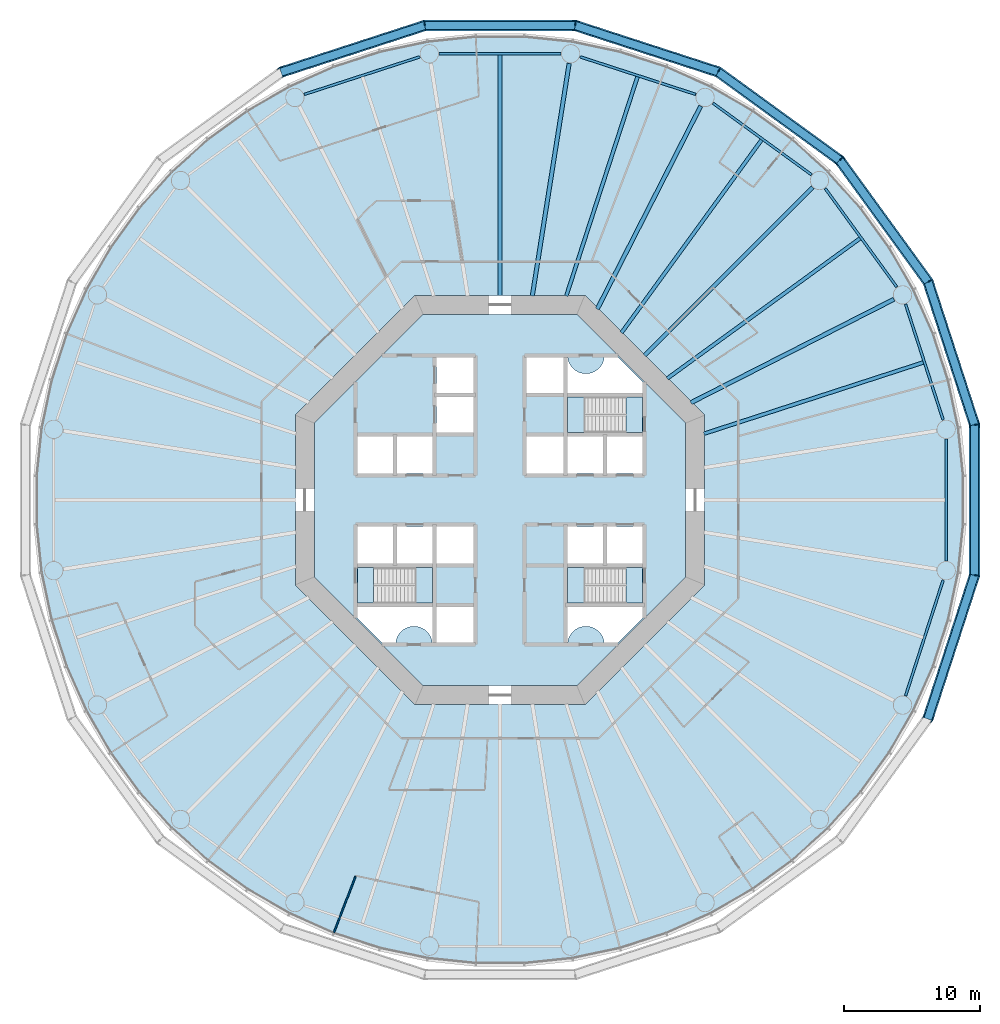
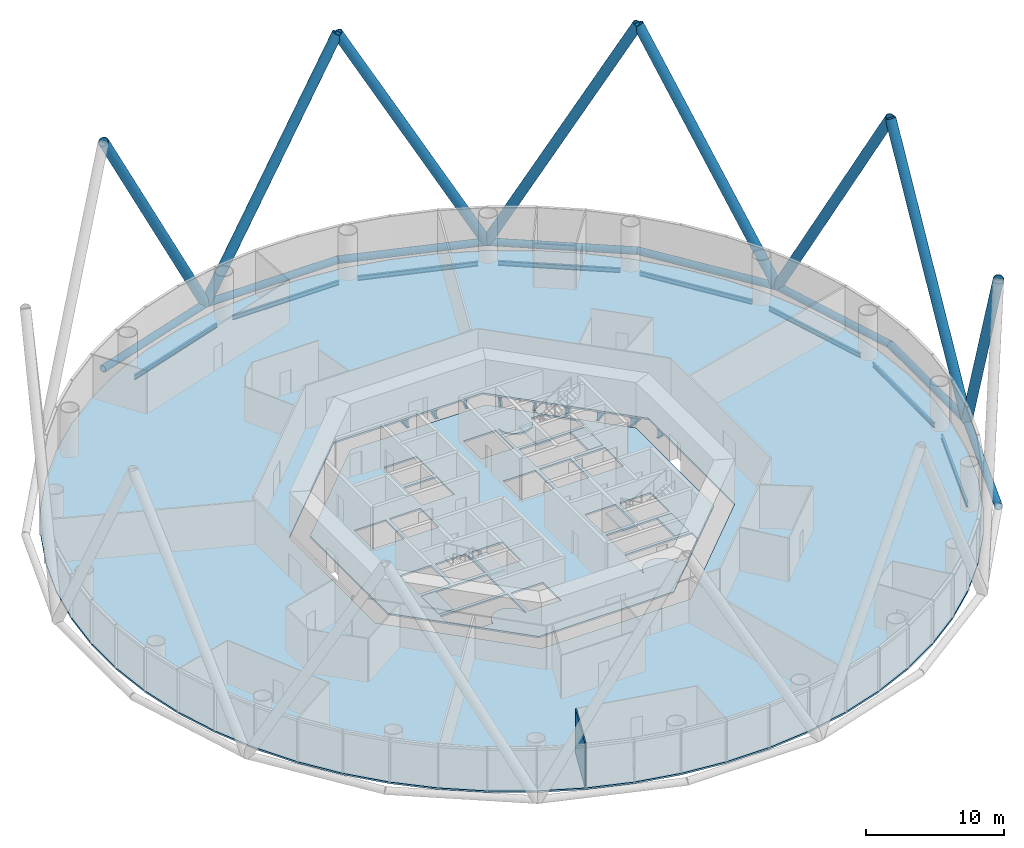
# One storey, part 2 of 13: 17 beams, 16 members, 8 slabs, 1 wall, 3 elements without a shape of their own.
"""IFC4 building model written with IfcOpenShell, lengths in metres."""

from ifc_helpers import new_model, si_unit, direction, frame, frame_2d, origin, origin_2d, place, context, subcontext, project, spatial, polyline, rectangle, circle, hollow_circle, i_section, outline, extrude, material, layer, layer_set, material_profile, profile_set, type_object, element, aggregate, save


model = new_model("IFC4")

# Units and contexts
model_context = context("Model", 3, precision=1e-05, world=origin(), true_north=direction((0.0, 1.0)))
body_context = subcontext(model_context, "Body", "Model", "MODEL_VIEW")
ifc_project = project(units=[si_unit("LENGTHUNIT", "METRE"), si_unit("AREAUNIT", "SQUARE_METRE"), si_unit("VOLUMEUNIT", "CUBIC_METRE"), si_unit("PLANEANGLEUNIT", "RADIAN"), si_unit("MASSUNIT", "GRAM", prefix="KILO")], contexts=[model_context])

# Site, building, storey
site_placement = place(None, origin())
site = spatial("IfcSite", under=ifc_project, at=site_placement, CompositionType="ELEMENT")
building_placement = place(site_placement, origin())
building = spatial("IfcBuilding", under=site, at=building_placement, Name="Entoto Ring Tower", CompositionType="ELEMENT")
storey_placement = place(building_placement, frame((0.0, 0.0, 18.0)))
storey = spatial("IfcBuildingStorey", under=building, at=storey_placement, Name="L02", CompositionType="ELEMENT", Elevation=18.0)

# Members
ifc_material_1 = material(Name="Steel S355", Category="steel")
ifc_material_profile_1 = material_profile(ifc_material_1, hollow_circle(Radius=0.39990234375, WallThickness=0.0400390625, at=origin_2d()), Name="CHS 800 x 40")
ifc_material_2 = material(Name="Concrete C60/75", Category="concrete")
ifc_material_profile_2 = material_profile(ifc_material_2, circle(Radius=0.360107421875, at=origin_2d()), Name="Concrete C60/75 infill")
ifc_profile_set_1 = profile_set([ifc_material_profile_1, ifc_material_profile_2], Name="Steel S355")
member_type_1 = type_object("IfcMemberType", Name="Diagrid diagonal 800 x 40 concrete-filled tube", PredefinedType="BRACE", material=ifc_profile_set_1)
member_1_placement = place(storey_placement, frame((121.363525390625, 95.98046875, 0.0), z_axis=(0.149050994589, -0.458744294344, 0.875978009666), x_axis=(0.951058991317, 0.309009376937, 0.0)))
element("IfcMember", 1, at=member_1_placement, inside=storey, type_object=member_type_1, Name="DG1 module 2 01", PredefinedType="BRACE", context=body_context, shape_type="SweptSolid", body=[
    extrude(hollow_circle(Radius=0.39990234375, WallThickness=0.0400390625, at=origin_2d()), origin(), (0.0, 0.0, 1.0), 22.83154296875),
])
for number, where, z_axis, x_axis, name in (
    (2, (121.363525390625, 95.98046875, 0.0), (-0.283526240634, 0.390232194068, 0.875974717435), (-0.809011122805, -0.587793333731, 0.0), "DG1 module 2 02"),
    (3, (105.98046875, 111.363525390625, 0.0), (0.390232194068, -0.283526240634, 0.875974717435), (0.587793333731, 0.809011122805, 0.0), "DG1 module 2 03"),
):
    element("IfcMember", number, at=place(storey_placement, frame(where, z_axis=z_axis, x_axis=x_axis)), inside=storey, type_object=member_type_1, Name=name, PredefinedType="BRACE", context=body_context, shape_type="SweptSolid", body=[
        extrude(hollow_circle(Radius=0.39990234375, WallThickness=0.0400390625, at=origin_2d()), origin(), (0.0, 0.0, 1.0), 22.831787109375),
    ])
member_2_placement = place(storey_placement, frame((105.98046875, 111.363525390625, 0.0), z_axis=(-0.458744294344, 0.149050994589, 0.875978009666), x_axis=(-0.309009376937, -0.951058991317, 0.0)))
element("IfcMember", 4, at=member_2_placement, inside=storey, type_object=member_type_1, Name="DG1 module 2 04", PredefinedType="BRACE", context=body_context, shape_type="SweptSolid", body=[
    extrude(hollow_circle(Radius=0.39990234375, WallThickness=0.0400390625, at=origin_2d()), origin(), (0.0, 0.0, 1.0), 22.83154296875),
])
member_3_placement = place(storey_placement, frame((84.493408203125, 114.7666015625, 0.0), z_axis=(0.482362007039, 0.0, 0.875971971107), x_axis=(0.0, 1.0, 0.0)))
element("IfcMember", 5, at=member_3_placement, inside=storey, type_object=member_type_1, Name="DG1 module 2 05", PredefinedType="BRACE", context=body_context, shape_type="SweptSolid", body=[
    extrude(hollow_circle(Radius=0.39990234375, WallThickness=0.0400390625, at=origin_2d()), origin(), (0.0, 0.0, 1.0), 22.831787109375),
])
for number, where, z_axis, x_axis, name in (
    (6, (84.493408203125, 114.7666015625, 0.0), (-0.458744294344, -0.149050994589, 0.875978009666), (0.309009376937, -0.951058991317, 0.0), "DG1 module 2 06"),
    (7, (124.7666015625, 74.493408203125, 0.0), (-0.149050994589, -0.458744294344, 0.875978009666), (0.951058991317, -0.309009376937, 0.0), "DG1 module 2 19"),
):
    element("IfcMember", number, at=place(storey_placement, frame(where, z_axis=z_axis, x_axis=x_axis)), inside=storey, type_object=member_type_1, Name=name, PredefinedType="BRACE", context=body_context, shape_type="SweptSolid", body=[
        extrude(hollow_circle(Radius=0.39990234375, WallThickness=0.0400390625, at=origin_2d()), origin(), (0.0, 0.0, 1.0), 22.83154296875),
    ])
member_4_placement = place(storey_placement, frame((124.7666015625, 74.493408203125, 0.0), z_axis=(0.0, 0.482362007039, 0.875971971107), x_axis=(-1.0, 0.0, 0.0)))
element("IfcMember", 8, at=member_4_placement, inside=storey, type_object=member_type_1, Name="DG1 module 2 20", PredefinedType="BRACE", context=body_context, shape_type="SweptSolid", body=[
    extrude(hollow_circle(Radius=0.39990234375, WallThickness=0.0400390625, at=origin_2d()), origin(), (0.0, 0.0, 1.0), 22.831787109375),
])
ifc_material_3 = material(Name="Steel S355", Category="steel")
ifc_material_profile_3 = material_profile(ifc_material_3, hollow_circle(Radius=0.300048828125, WallThickness=0.030029296875, at=origin_2d()), Name="CHS 600 x 30")
ifc_material_4 = material(Name="Concrete C60/75", Category="concrete")
ifc_material_profile_4 = material_profile(ifc_material_4, circle(Radius=0.27001953125, at=origin_2d()), Name="Concrete C60/75 infill")
ifc_profile_set_2 = profile_set([ifc_material_profile_3, ifc_material_profile_4], Name="Steel S355")
member_type_2 = type_object("IfcMemberType", Name="Diagrid ring beam 600 x 30", PredefinedType="CHORD", material=ifc_profile_set_2)
for number, where, z_axis, x_axis, name in (
    (9, (121.403076171875, 95.92578125, 0.0), (-0.587771863556, 0.809026721692, 0.0), (-0.809026721692, -0.587771863556, 0.0), "DR1 ring 1 01"),
    (10, (114.94482421875, 104.8505859375, 0.0), (-0.809026721692, 0.587771863556, 0.0), (-0.587771863556, -0.809026721692, 0.0), "DR1 ring 1 02"),
    (11, (106.044677734375, 111.342529296875, 0.0), (-0.951051931315, 0.309031105137, 0.0), (-0.309031105137, -0.951051931315, 0.0), "DR1 ring 1 03"),
    (12, (95.573974609375, 114.7666015625, 0.0), (-1.0, 0.0, 0.0), (0.0, -1.0, 0.0), "DR1 ring 1 04"),
    (13, (84.5576171875, 114.78759765625, 0.0), (-0.951051931315, -0.309031105137, 0.0), (0.309031105137, -0.951051931315, 0.0), "DR1 ring 1 05"),
    (14, (121.342529296875, 63.955322265625, 0.0), (0.309031105137, 0.951051931315, 0.0), (-0.951051931315, 0.309031105137, 0.0), "DR1 ring 1 18"),
    (15, (124.7666015625, 74.426025390625, 0.0), (0.0, 1.0, 0.0), (-1.0, 0.0, 0.0), "DR1 ring 1 19"),
    (16, (124.78759765625, 85.4423828125, 0.0), (-0.309031105137, 0.951051931315, 0.0), (-0.951051931315, -0.309031105137, 0.0), "DR1 ring 1 20"),
):
    element("IfcMember", number, at=place(storey_placement, frame(where, z_axis=z_axis, x_axis=x_axis)), inside=storey, type_object=member_type_2, Name=name, PredefinedType="CHORD", context=body_context, shape_type="SweptSolid", body=[
        extrude(hollow_circle(Radius=0.300048828125, WallThickness=0.030029296875, at=origin_2d()), origin(), (0.0, 0.0, 1.0), 11.14794921875),
    ])

# Beams
ifc_material_5 = material(Name="Steel S355", Category="steel")
ifc_material_profile_5 = material_profile(ifc_material_5, i_section(OverallWidth=0.179931640625, OverallDepth=0.39990234375, WebThickness=0.008544921875, FlangeThickness=0.013427734375, FilletRadius=0.02099609375, at=origin_2d()), Name="IPE 400")
ifc_profile_set_3 = profile_set([ifc_material_profile_5], Name="Steel S355")
beam_type_1 = type_object("IfcBeamType", Name="Edge beam IPE 400", PredefinedType="SPANDREL", material=ifc_profile_set_3)
for number, where, z_axis, x_axis, name in (
    (17, (122.468505859375, 85.866943359375, -0.35009765625), (-0.308990624574, 0.951065083959, 0.0), (-0.951065083959, -0.308990624574, 0.0), "Edge beam L02 01"),
    (18, (119.06640625, 95.61328125, -0.35009765625), (-0.587786997629, 0.809015726311, 0.0), (-0.809015726311, -0.587786997629, 0.0), "Edge beam L02 02"),
    (19, (112.819091796875, 103.8310546875, -0.35009765625), (-0.809015726311, 0.587786997629, 0.0), (-0.587786997629, -0.809015726311, 0.0), "Edge beam L02 03"),
    (20, (104.338134765625, 109.71630859375, -0.35009765625), (-0.951065083959, 0.308990624574, 0.0), (-0.308990624574, -0.951065083959, 0.0), "Edge beam L02 04"),
):
    element("IfcBeam", number, at=place(storey_placement, frame(where, z_axis=z_axis, x_axis=x_axis)), inside=storey, type_object=beam_type_1, Name=name, PredefinedType="SPANDREL", context=body_context, shape_type="SweptSolid", body=[
        extrude(i_section(OverallWidth=0.179931640625, OverallDepth=0.39990234375, WebThickness=0.008544921875, FlangeThickness=0.013427734375, FilletRadius=0.02099609375, at=origin_2d()), origin(), (0.0, 0.0, 1.0), 8.906982421875),
    ])
beam_1_placement = place(storey_placement, frame((94.45361328125, 112.6923828125, -0.35009765625), z_axis=(-1.0, 0.0, 0.0), x_axis=(0.0, -1.0, 0.0)))
element("IfcBeam", 21, at=beam_1_placement, inside=storey, type_object=beam_type_1, Name="Edge beam L02 05", PredefinedType="SPANDREL", context=body_context, shape_type="SweptSolid", body=[
    extrude(i_section(OverallWidth=0.179931640625, OverallDepth=0.39990234375, WebThickness=0.008544921875, FlangeThickness=0.013427734375, FilletRadius=0.02099609375, at=origin_2d()), origin(), (0.0, 0.0, 1.0), 8.9072265625),
])
for number, where, z_axis, x_axis, name in (
    (22, (84.133056640625, 112.468505859375, -0.35009765625), (-0.951065083959, -0.308990624574, 0.0), (0.308990624574, -0.951065083959, 0.0), "Edge beam L02 06"),
    (23, (119.71630859375, 65.661865234375, -0.35009765625), (0.308990624574, 0.951065083959, 0.0), (-0.951065083959, 0.308990624574, 0.0), "Edge beam L02 19"),
):
    element("IfcBeam", number, at=place(storey_placement, frame(where, z_axis=z_axis, x_axis=x_axis)), inside=storey, type_object=beam_type_1, Name=name, PredefinedType="SPANDREL", context=body_context, shape_type="SweptSolid", body=[
        extrude(i_section(OverallWidth=0.179931640625, OverallDepth=0.39990234375, WebThickness=0.008544921875, FlangeThickness=0.013427734375, FilletRadius=0.02099609375, at=origin_2d()), origin(), (0.0, 0.0, 1.0), 8.906982421875),
    ])
beam_2_placement = place(storey_placement, frame((122.6923828125, 75.54638671875, -0.35009765625), z_axis=(0.0, 1.0, 0.0), x_axis=(-1.0, 0.0, 0.0)))
element("IfcBeam", 24, at=beam_2_placement, inside=storey, type_object=beam_type_1, Name="Edge beam L02 20", PredefinedType="SPANDREL", context=body_context, shape_type="SweptSolid", body=[
    extrude(i_section(OverallWidth=0.179931640625, OverallDepth=0.39990234375, WebThickness=0.008544921875, FlangeThickness=0.013427734375, FilletRadius=0.02099609375, at=origin_2d()), origin(), (0.0, 0.0, 1.0), 8.9072265625),
])
ifc_material_6 = material(Name="Steel S355", Category="steel")
ifc_material_profile_6 = material_profile(ifc_material_6, i_section(OverallWidth=0.300048828125, OverallDepth=0.800048828125, WebThickness=0.017578125, FlangeThickness=0.032958984375, FilletRadius=0.030029296875, at=origin_2d()), Name="HE 800 B")
ifc_profile_set_4 = profile_set([ifc_material_profile_6], Name="Steel S355")
beam_type_2 = type_object("IfcBeamType", Name="Primary floor beam HE 800 B", PredefinedType="BEAM", material=ifc_profile_set_4)
beam_3_placement = place(storey_placement, frame((103.99169921875, 87.129150390625, -0.550048828125), z_axis=(0.891006100414, 0.453991331443, 0.0), x_axis=(-0.453991331443, 0.891006100414, 0.0)))
element("IfcBeam", 25, at=beam_3_placement, inside=storey, type_object=beam_type_2, Name="Primary L02 R02", PredefinedType="BEAM", context=body_context, shape_type="SweptSolid", body=[
    extrude(i_section(OverallWidth=0.300048828125, OverallDepth=0.800048828125, WebThickness=0.017578125, FlangeThickness=0.032958984375, FilletRadius=0.030029296875, at=origin_2d()), origin(), (0.0, 0.0, 1.0), 16.681884765625),
])
beam_4_placement = place(storey_placement, frame((100.592529296875, 90.592529296875, -0.550048828125), z_axis=(0.707106781187, 0.707106781187, 0.0), x_axis=(-0.707106781187, 0.707106781187, 0.0)))
element("IfcBeam", 26, at=beam_4_placement, inside=storey, type_object=beam_type_2, Name="Primary L02 R03", PredefinedType="BEAM", context=body_context, shape_type="SweptSolid", body=[
    extrude(i_section(OverallWidth=0.300048828125, OverallDepth=0.800048828125, WebThickness=0.017578125, FlangeThickness=0.032958984375, FilletRadius=0.030029296875, at=origin_2d()), origin(), (0.0, 0.0, 1.0), 17.4052734375),
])
beam_5_placement = place(storey_placement, frame((97.129150390625, 93.99169921875, -0.550048828125), z_axis=(0.453991331443, 0.891006100414, 0.0), x_axis=(-0.891006100414, 0.453991331443, 0.0)))
element("IfcBeam", 27, at=beam_5_placement, inside=storey, type_object=beam_type_2, Name="Primary L02 R04", PredefinedType="BEAM", context=body_context, shape_type="SweptSolid", body=[
    extrude(i_section(OverallWidth=0.300048828125, OverallDepth=0.800048828125, WebThickness=0.017578125, FlangeThickness=0.032958984375, FilletRadius=0.030029296875, at=origin_2d()), origin(), (0.0, 0.0, 1.0), 16.681884765625),
])
beam_6_placement = place(storey_placement, frame((92.368896484375, 94.956787109375, -0.550048828125), z_axis=(0.156435179862, 0.987688227378, 0.0), x_axis=(-0.987688227378, 0.156435179862, 0.0)))
element("IfcBeam", 28, at=beam_6_placement, inside=storey, type_object=beam_type_2, Name="Primary L02 R05", PredefinedType="BEAM", context=body_context, shape_type="SweptSolid", body=[
    extrude(i_section(OverallWidth=0.300048828125, OverallDepth=0.800048828125, WebThickness=0.017578125, FlangeThickness=0.032958984375, FilletRadius=0.030029296875, at=origin_2d()), origin(), (0.0, 0.0, 1.0), 17.2421875),
])
ifc_material_7 = material(Name="Steel S355", Category="steel")
ifc_material_profile_7 = material_profile(ifc_material_7, i_section(OverallWidth=0.262939453125, OverallDepth=0.7529296875, WebThickness=0.011474609375, FlangeThickness=0.01708984375, FilletRadius=0.01708984375, at=origin_2d()), Name="IPE 750 x 137")
ifc_profile_set_5 = profile_set([ifc_material_profile_7], Name="Steel S355")
beam_type_3 = type_object("IfcBeamType", Name="Secondary floor beam IPE 750 x 137", PredefinedType="JOIST", material=ifc_profile_set_5)
beam_7_placement = place(storey_placement, frame((104.9404296875, 84.8544921875, -0.526611328125), z_axis=(0.951057855768, 0.30901287187, 0.0), x_axis=(-0.30901287187, 0.951057855768, 0.0)))
element("IfcBeam", 29, at=beam_7_placement, inside=storey, type_object=beam_type_3, Name="Secondary beam L02 01", PredefinedType="JOIST", context=body_context, shape_type="SweptSolid", body=[
    extrude(i_section(OverallWidth=0.262939453125, OverallDepth=0.7529296875, WebThickness=0.011474609375, FlangeThickness=0.01708984375, FilletRadius=0.01708984375, at=origin_2d()), origin(), (0.0, 0.0, 1.0), 16.893310546875),
])
for number, where, z_axis, x_axis, name in (
    (30, (102.25341796875, 88.902587890625, -0.526611328125), (0.809014194973, 0.58778910532, 0.0), (-0.58778910532, 0.809014194973, 0.0), "Secondary beam L02 02"),
    (31, (98.902587890625, 92.25341796875, -0.526611328125), (0.58778910532, 0.809014194973, 0.0), (-0.809014194973, 0.58778910532, 0.0), "Secondary beam L02 03"),
):
    element("IfcBeam", number, at=place(storey_placement, frame(where, z_axis=z_axis, x_axis=x_axis)), inside=storey, type_object=beam_type_3, Name=name, PredefinedType="JOIST", context=body_context, shape_type="SweptSolid", body=[
        extrude(i_section(OverallWidth=0.262939453125, OverallDepth=0.7529296875, WebThickness=0.011474609375, FlangeThickness=0.01708984375, FilletRadius=0.01708984375, at=origin_2d()), origin(), (0.0, 0.0, 1.0), 17.45654296875),
    ])
beam_8_placement = place(storey_placement, frame((94.8544921875, 94.9404296875, -0.526611328125), z_axis=(0.30901287187, 0.951057855768, 0.0), x_axis=(-0.951057855768, 0.30901287187, 0.0)))
element("IfcBeam", 32, at=beam_8_placement, inside=storey, type_object=beam_type_3, Name="Secondary beam L02 04", PredefinedType="JOIST", context=body_context, shape_type="SweptSolid", body=[
    extrude(i_section(OverallWidth=0.262939453125, OverallDepth=0.7529296875, WebThickness=0.011474609375, FlangeThickness=0.01708984375, FilletRadius=0.01708984375, at=origin_2d()), origin(), (0.0, 0.0, 1.0), 16.893310546875),
])
beam_9_placement = place(storey_placement, frame((90.0, 94.97998046875, -0.526611328125), z_axis=(0.0, 1.0, 0.0), x_axis=(-1.0, 0.0, 0.0)))
element("IfcBeam", 33, at=beam_9_placement, inside=storey, type_object=beam_type_3, Name="Secondary beam L02 05", PredefinedType="JOIST", context=body_context, shape_type="SweptSolid", body=[
    extrude(i_section(OverallWidth=0.262939453125, OverallDepth=0.7529296875, WebThickness=0.011474609375, FlangeThickness=0.01708984375, FilletRadius=0.01708984375, at=origin_2d()), origin(), (0.0, 0.0, 1.0), 17.62255859375),
])

# Slabs
ifc_material_8 = material(Name="Concrete C30/37", Category="concrete")
ifc_layer_1 = layer(ifc_material_8, 0.14990234375)
ifc_layer_set_1 = layer_set([ifc_layer_1], Name="Concrete C30/37")
slab_type_1 = type_object("IfcSlabType", Name="Composite floor slab 150 mm", PredefinedType="FLOOR", material=ifc_layer_set_1)
slab_1_placement = place(storey_placement, frame((0.0, 0.0, -0.14990234375)))
element("IfcSlab", 34, at=slab_1_placement, inside=storey, type_object=slab_type_1, Name="Floor slab L02", PredefinedType="FLOOR", context=body_context, shape_type="SweptSolid", body=[
    extrude(outline(polyline([(123.68017578125, 85.33447265625), (122.93798828125, 88.82568359375), (121.835205078125, 92.220458984375), (120.38330078125, 95.48095703125), (118.5986328125, 98.572265625), (116.500732421875, 101.459716796875), (114.1123046875, 104.1123046875), (111.459716796875, 106.500732421875), (108.572265625, 108.5986328125), (105.48095703125, 110.38330078125), (102.220458984375, 111.835205078125), (98.82568359375, 112.93798828125), (95.33447265625, 113.68017578125), (91.78466796875, 114.05322265625), (88.21533203125, 114.05322265625), (84.66552734375, 113.68017578125), (81.17431640625, 112.93798828125), (77.779541015625, 111.835205078125), (74.51904296875, 110.38330078125), (71.427734375, 108.5986328125), (68.540283203125, 106.500732421875), (65.8876953125, 104.1123046875), (63.499267578125, 101.459716796875), (61.4013671875, 98.572265625), (59.61669921875, 95.48095703125), (58.164794921875, 92.220458984375), (57.06201171875, 88.82568359375), (56.31982421875, 85.33447265625), (55.94677734375, 81.78466796875), (55.94677734375, 78.21533203125), (56.31982421875, 74.66552734375), (57.06201171875, 71.17431640625), (58.164794921875, 67.779541015625), (59.61669921875, 64.51904296875), (61.4013671875, 61.427734375), (63.499267578125, 58.540283203125), (65.8876953125, 55.8876953125), (68.540283203125, 53.499267578125), (71.427734375, 51.4013671875), (74.51904296875, 49.61669921875), (77.779541015625, 48.164794921875), (81.17431640625, 47.06201171875), (84.66552734375, 46.31982421875), (88.21533203125, 45.94677734375), (91.78466796875, 45.94677734375), (95.33447265625, 46.31982421875), (98.82568359375, 47.06201171875), (102.220458984375, 48.164794921875), (105.48095703125, 49.61669921875), (108.572265625, 51.4013671875), (111.459716796875, 53.499267578125), (114.1123046875, 55.8876953125), (116.500732421875, 58.540283203125), (118.5986328125, 61.427734375), (120.38330078125, 64.51904296875), (121.835205078125, 67.779541015625), (122.93798828125, 71.17431640625), (123.68017578125, 74.66552734375), (124.05322265625, 78.21533203125), (124.05322265625, 81.78466796875), (123.68017578125, 85.33447265625)]), holes=[polyline([(105.0, 73.786865234375), (105.0, 86.213134765625), (96.213134765625, 95.0), (83.786865234375, 95.0), (75.0, 86.213134765625), (75.0, 73.786865234375), (83.786865234375, 65.0), (96.213134765625, 65.0), (105.0, 73.786865234375)])]), origin(), (0.0, 0.0, 1.0), 0.14990234375),
])
ifc_material_9 = material(Name="Concrete C40/50", Category="concrete")
ifc_layer_2 = layer(ifc_material_9, 0.14990234375)
ifc_layer_set_2 = layer_set([ifc_layer_2], Name="Concrete C40/50")
slab_type_2 = type_object("IfcSlabType", Name="Core floor slab 150 mm reinforced concrete C40/50", PredefinedType="FLOOR", material=ifc_layer_set_2)
slab_2_placement = place(storey_placement, frame((0.0, 0.0, -0.14990234375)))
element("IfcSlab", 35, at=slab_2_placement, inside=storey, type_object=slab_type_2, Name="Core floor L02", PredefinedType="FLOOR", context=body_context, shape_type="SweptSolid", body=[
    extrude(outline(polyline([(103.60009765625, 74.36669921875), (103.60009765625, 85.63330078125), (95.63330078125, 93.60009765625), (84.36669921875, 93.60009765625), (76.39990234375, 85.63330078125), (76.39990234375, 74.36669921875), (84.36669921875, 66.39990234375), (95.63330078125, 66.39990234375), (103.60009765625, 74.36669921875)]), holes=[polyline([(100.449951171875, 84.949951171875), (100.449951171875, 87.550048828125), (94.949951171875, 87.550048828125), (94.949951171875, 84.949951171875), (100.449951171875, 84.949951171875)]), polyline([(85.050048828125, 72.449951171875), (85.050048828125, 75.050048828125), (79.550048828125, 75.050048828125), (79.550048828125, 72.449951171875), (85.050048828125, 72.449951171875)]), polyline([(100.449951171875, 72.449951171875), (100.449951171875, 75.050048828125), (94.949951171875, 75.050048828125), (94.949951171875, 72.449951171875), (100.449951171875, 72.449951171875)]), polyline([(94.949951171875, 81.949951171875), (97.550048828125, 81.949951171875), (97.550048828125, 84.64990234375), (94.949951171875, 84.64990234375), (94.949951171875, 81.949951171875)]), polyline([(97.85009765625, 81.949951171875), (100.449951171875, 81.949951171875), (100.449951171875, 84.64990234375), (97.85009765625, 84.64990234375), (97.85009765625, 81.949951171875)]), polyline([(82.449951171875, 81.949951171875), (85.050048828125, 81.949951171875), (85.050048828125, 84.64990234375), (82.449951171875, 84.64990234375), (82.449951171875, 81.949951171875)]), polyline([(94.949951171875, 75.35009765625), (97.550048828125, 75.35009765625), (97.550048828125, 78.050048828125), (94.949951171875, 78.050048828125), (94.949951171875, 75.35009765625)]), polyline([(97.85009765625, 75.35009765625), (100.449951171875, 75.35009765625), (100.449951171875, 78.050048828125), (97.85009765625, 78.050048828125), (97.85009765625, 75.35009765625)]), polyline([(82.449951171875, 75.35009765625), (85.050048828125, 75.35009765625), (85.050048828125, 78.050048828125), (82.449951171875, 78.050048828125), (82.449951171875, 75.35009765625)]), polyline([(79.550048828125, 81.949951171875), (82.14990234375, 81.949951171875), (82.14990234375, 84.64990234375), (79.550048828125, 84.64990234375), (79.550048828125, 81.949951171875)]), polyline([(79.550048828125, 75.35009765625), (82.14990234375, 75.35009765625), (82.14990234375, 78.050048828125), (79.550048828125, 78.050048828125), (79.550048828125, 75.35009765625)]), polyline([(91.949951171875, 87.85009765625), (94.64990234375, 87.85009765625), (94.64990234375, 90.449951171875), (91.949951171875, 90.449951171875), (91.949951171875, 87.85009765625)]), polyline([(85.35009765625, 69.550048828125), (88.050048828125, 69.550048828125), (88.050048828125, 72.14990234375), (85.35009765625, 72.14990234375), (85.35009765625, 69.550048828125)]), polyline([(91.949951171875, 81.949951171875), (94.64990234375, 81.949951171875), (94.64990234375, 84.64990234375), (91.949951171875, 84.64990234375), (91.949951171875, 81.949951171875)]), polyline([(85.35009765625, 75.35009765625), (88.050048828125, 75.35009765625), (88.050048828125, 78.050048828125), (85.35009765625, 78.050048828125), (85.35009765625, 75.35009765625)]), polyline([(85.35009765625, 84.949951171875), (88.050048828125, 84.949951171875), (88.050048828125, 87.550048828125), (85.35009765625, 87.550048828125), (85.35009765625, 84.949951171875)]), polyline([(85.35009765625, 87.85009765625), (88.050048828125, 87.85009765625), (88.050048828125, 90.449951171875), (85.35009765625, 90.449951171875), (85.35009765625, 87.85009765625)]), polyline([(94.89990234375, 90.5), (94.89990234375, 87.800048828125), (100.5, 87.800048828125), (100.5, 88.591796875), (98.591796875, 90.5), (97.64501953125, 90.5), (97.6435546875, 90.4677734375), (97.6240234375, 90.336669921875), (97.591796875, 90.2080078125), (97.547119140625, 90.08349609375), (97.490478515625, 89.963623046875), (97.422607421875, 89.85009765625), (97.343505859375, 89.74365234375), (97.254638671875, 89.6455078125), (97.156494140625, 89.556396484375), (97.050048828125, 89.4775390625), (96.936279296875, 89.409423828125), (96.816650390625, 89.352783203125), (96.69189453125, 89.30810546875), (96.5634765625, 89.27587890625), (96.432373046875, 89.256591796875), (96.300048828125, 89.25), (96.167724609375, 89.256591796875), (96.03662109375, 89.27587890625), (95.908203125, 89.30810546875), (95.783447265625, 89.352783203125), (95.66357421875, 89.409423828125), (95.550048828125, 89.4775390625), (95.443603515625, 89.556396484375), (95.345458984375, 89.6455078125), (95.25634765625, 89.74365234375), (95.177490234375, 89.85009765625), (95.109375, 89.963623046875), (95.052734375, 90.08349609375), (95.008056640625, 90.2080078125), (94.975830078125, 90.336669921875), (94.95654296875, 90.4677734375), (94.954833984375, 90.5), (94.89990234375, 90.5)]), polyline([(79.5, 71.408203125), (81.408203125, 69.5), (82.35498046875, 69.5), (82.3564453125, 69.5322265625), (82.3759765625, 69.663330078125), (82.408203125, 69.7919921875), (82.452880859375, 69.91650390625), (82.509521484375, 70.036376953125), (82.577392578125, 70.14990234375), (82.656494140625, 70.25634765625), (82.745361328125, 70.3544921875), (82.843505859375, 70.443603515625), (82.949951171875, 70.5224609375), (83.063720703125, 70.590576171875), (83.183349609375, 70.647216796875), (83.30810546875, 70.69189453125), (83.4365234375, 70.72412109375), (83.567626953125, 70.743408203125), (83.699951171875, 70.75), (83.832275390625, 70.743408203125), (83.96337890625, 70.72412109375), (84.091796875, 70.69189453125), (84.216552734375, 70.647216796875), (84.33642578125, 70.590576171875), (84.449951171875, 70.5224609375), (84.556396484375, 70.443603515625), (84.654541015625, 70.3544921875), (84.74365234375, 70.25634765625), (84.822509765625, 70.14990234375), (84.890625, 70.036376953125), (84.947265625, 69.91650390625), (84.991943359375, 69.7919921875), (85.024169921875, 69.663330078125), (85.04345703125, 69.5322265625), (85.045166015625, 69.5), (85.10009765625, 69.5), (85.10009765625, 72.199951171875), (79.5, 72.199951171875), (79.5, 71.408203125)]), polyline([(97.64501953125, 69.5), (98.591796875, 69.5), (100.5, 71.408203125), (100.5, 72.199951171875), (94.89990234375, 72.199951171875), (94.89990234375, 69.5), (94.954833984375, 69.5), (94.95654296875, 69.5322265625), (94.975830078125, 69.663330078125), (95.008056640625, 69.7919921875), (95.052734375, 69.91650390625), (95.109375, 70.036376953125), (95.177490234375, 70.14990234375), (95.25634765625, 70.25634765625), (95.345458984375, 70.3544921875), (95.443603515625, 70.443603515625), (95.550048828125, 70.5224609375), (95.66357421875, 70.590576171875), (95.783447265625, 70.647216796875), (95.908203125, 70.69189453125), (96.03662109375, 70.72412109375), (96.167724609375, 70.743408203125), (96.300048828125, 70.75), (96.432373046875, 70.743408203125), (96.5634765625, 70.72412109375), (96.69189453125, 70.69189453125), (96.816650390625, 70.647216796875), (96.936279296875, 70.590576171875), (97.050048828125, 70.5224609375), (97.156494140625, 70.443603515625), (97.254638671875, 70.3544921875), (97.343505859375, 70.25634765625), (97.422607421875, 70.14990234375), (97.490478515625, 70.036376953125), (97.547119140625, 69.91650390625), (97.591796875, 69.7919921875), (97.6240234375, 69.663330078125), (97.6435546875, 69.5322265625), (97.64501953125, 69.5)])]), origin(), (0.0, 0.0, 1.0), 0.14990234375),
])

# Stair, slabs
ifc_material_10 = material(Name="Concrete C40/50", Category="concrete")
stair_type = type_object("IfcStairType", Name="Exit stair 1200 mm dog-leg reinforced concrete", PredefinedType="HALF_TURN_STAIR", material=ifc_material_10)
stair_1_placement = place(storey_placement, origin())
stair_1 = element("IfcStair", 36, at=stair_1_placement, inside=storey, type_object=stair_type, Name="Exit stair 1", PredefinedType="HALF_TURN_STAIR")
ifc_material_11 = material(Name="Concrete C40/50", Category="concrete")
ifc_layer_3 = layer(ifc_material_11, 0.199951171875)
ifc_layer_set_3 = layer_set([ifc_layer_3], Name="Concrete C40/50")
slab_type_3 = type_object("IfcSlabType", Name="Stair landing 200 mm reinforced concrete", PredefinedType="LANDING", material=ifc_layer_set_3)
slab_3_placement = place(storey_placement, frame((0.0, 0.0, -0.199951171875)))
slab_3 = element("IfcSlab", 37, at=slab_3_placement, type_object=slab_type_3, Name="ST1 landing 1", PredefinedType="LANDING", context=body_context, shape_type="SweptSolid", body=[
    extrude(outline(polyline([(100.449951171875, 84.949951171875), (100.449951171875, 87.550048828125), (99.25, 87.550048828125), (99.25, 84.949951171875), (100.449951171875, 84.949951171875)])), origin(), (0.0, 0.0, 1.0), 0.199951171875),
])
slab_4_placement = place(storey_placement, frame((0.0, 0.0, 1.800048828125)))
slab_4 = element("IfcSlab", 38, at=slab_4_placement, type_object=slab_type_3, Name="ST1 landing 2", PredefinedType="LANDING", context=body_context, shape_type="SweptSolid", body=[
    extrude(outline(polyline([(94.949951171875, 84.949951171875), (96.169921875, 84.949951171875), (96.169921875, 87.550048828125), (94.949951171875, 87.550048828125), (94.949951171875, 84.949951171875)])), origin(), (0.0, 0.0, 1.0), 0.199951171875),
])
aggregate(stair_1, [slab_3, slab_4])

stair_2_placement = place(storey_placement, origin())
stair_2 = element("IfcStair", 39, at=stair_2_placement, inside=storey, type_object=stair_type, Name="Exit stair 2", PredefinedType="HALF_TURN_STAIR")
slab_5_placement = place(storey_placement, frame((0.0, 0.0, -0.199951171875)))
slab_5 = element("IfcSlab", 40, at=slab_5_placement, type_object=slab_type_3, Name="ST2 landing 1", PredefinedType="LANDING", context=body_context, shape_type="SweptSolid", body=[
    extrude(outline(polyline([(80.75, 72.449951171875), (80.75, 75.050048828125), (79.550048828125, 75.050048828125), (79.550048828125, 72.449951171875), (80.75, 72.449951171875)])), origin(), (0.0, 0.0, 1.0), 0.199951171875),
])
slab_6_placement = place(storey_placement, frame((0.0, 0.0, 1.800048828125)))
slab_6 = element("IfcSlab", 41, at=slab_6_placement, type_object=slab_type_3, Name="ST2 landing 2", PredefinedType="LANDING", context=body_context, shape_type="SweptSolid", body=[
    extrude(outline(polyline([(83.830078125, 72.449951171875), (85.050048828125, 72.449951171875), (85.050048828125, 75.050048828125), (83.830078125, 75.050048828125), (83.830078125, 72.449951171875)])), origin(), (0.0, 0.0, 1.0), 0.199951171875),
])
aggregate(stair_2, [slab_5, slab_6])

stair_3_placement = place(storey_placement, origin())
stair_3 = element("IfcStair", 42, at=stair_3_placement, inside=storey, type_object=stair_type, Name="Exit stair 3", PredefinedType="HALF_TURN_STAIR")
slab_7_placement = place(storey_placement, frame((0.0, 0.0, -0.199951171875)))
slab_7 = element("IfcSlab", 43, at=slab_7_placement, type_object=slab_type_3, Name="ST3 landing 1", PredefinedType="LANDING", context=body_context, shape_type="SweptSolid", body=[
    extrude(outline(polyline([(100.449951171875, 72.449951171875), (100.449951171875, 75.050048828125), (99.25, 75.050048828125), (99.25, 72.449951171875), (100.449951171875, 72.449951171875)])), origin(), (0.0, 0.0, 1.0), 0.199951171875),
])
slab_8_placement = place(storey_placement, frame((0.0, 0.0, 1.800048828125)))
slab_8 = element("IfcSlab", 44, at=slab_8_placement, type_object=slab_type_3, Name="ST3 landing 2", PredefinedType="LANDING", context=body_context, shape_type="SweptSolid", body=[
    extrude(outline(polyline([(94.949951171875, 72.449951171875), (96.169921875, 72.449951171875), (96.169921875, 75.050048828125), (94.949951171875, 75.050048828125), (94.949951171875, 72.449951171875)])), origin(), (0.0, 0.0, 1.0), 0.199951171875),
])
aggregate(stair_3, [slab_7, slab_8])

# Wall
ifc_material_12 = material(Name="Plasterboard on steel studs", Category="steel")
ifc_layer_4 = layer(ifc_material_12, 0.10009765625)
ifc_layer_set_4 = layer_set([ifc_layer_4], Name="Plasterboard on steel studs")
wall_type = type_object("IfcWallType", Name="Partition 100 mm plasterboard on steel studs", PredefinedType="PARTITIONING", material=ifc_layer_set_4)
wall_placement = place(storey_placement, frame((77.8369140625, 48.314208984375, 0.0), z_axis=(0.0, 0.0, 1.0), x_axis=(0.358384196855, 0.933574189577, 0.0)))
element("IfcWall", 45, at=wall_placement, inside=storey, type_object=wall_type, Name="partition-L02-034", PredefinedType="PARTITIONING", context=body_context, shape_type="SweptSolid", body=[
    extrude(rectangle(XDim=4.400634765625, YDim=0.10009765625, at=frame_2d((2.2001953125, 0.0))), origin(), (0.0, 0.0, 1.0), 3.85009765625),
])

save(model, "model.ifc")
